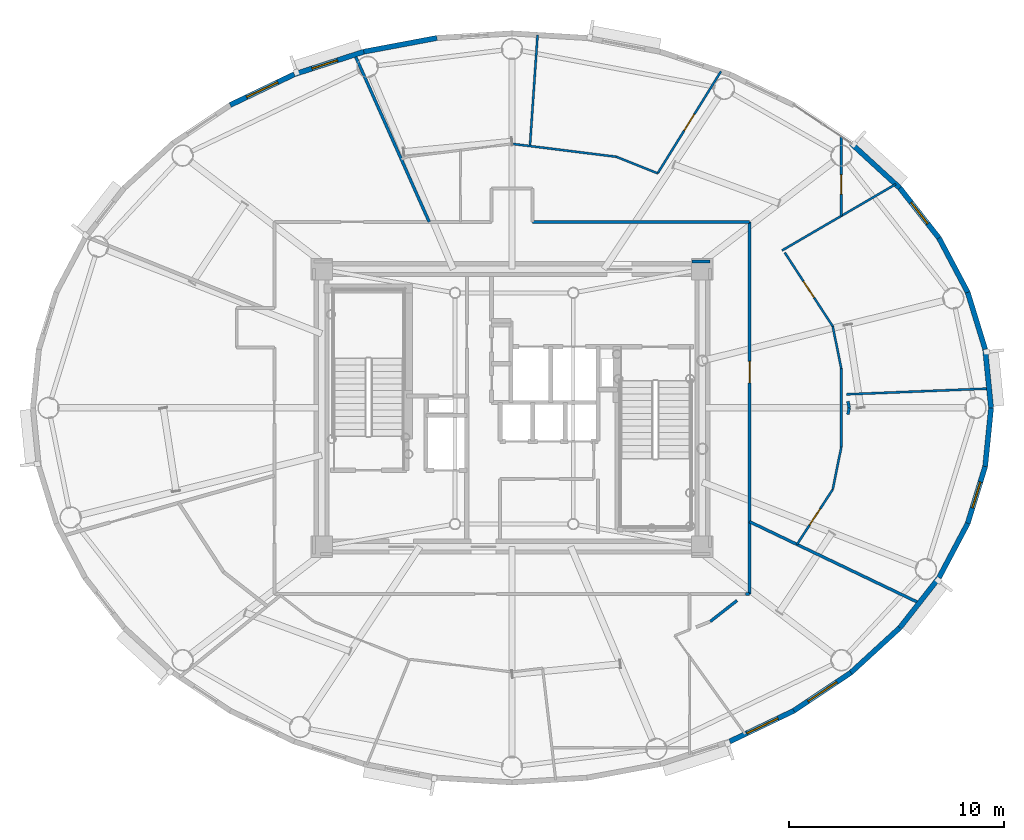
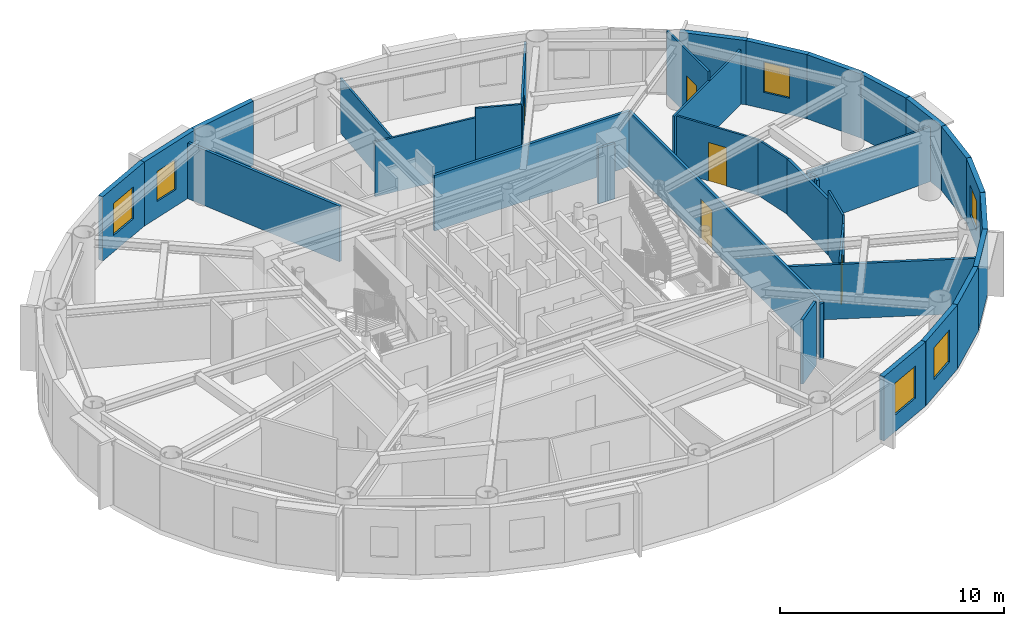
# One storey, part 9 of 16: 36 walls, 6 windows, 5 doors, 11 openings.
"""IFC4 building model written with IfcOpenShell, lengths in metres."""

from ifc_helpers import new_model, si_unit, direction, frame, frame_2d, origin, origin_2d, place, context, subcontext, project, spatial, rectangle, extrude, source, transform, mapped, material, layer, layer_set, type_object, element, fill, save


model = new_model("IFC4")

# Units and contexts
model_context = context("Model", 3, precision=1e-05, world=origin(), true_north=direction((0.0, 1.0)))
body_context = subcontext(model_context, "Body", "Model", "MODEL_VIEW")
ifc_project = project(units=[si_unit("LENGTHUNIT", "METRE"), si_unit("AREAUNIT", "SQUARE_METRE"), si_unit("VOLUMEUNIT", "CUBIC_METRE"), si_unit("PLANEANGLEUNIT", "RADIAN"), si_unit("MASSUNIT", "GRAM", prefix="KILO")], contexts=[model_context])

# Site, building, storey
site_placement = place(None, origin())
site = spatial("IfcSite", under=ifc_project, at=site_placement, CompositionType="ELEMENT")
building_placement = place(site_placement, origin())
building = spatial("IfcBuilding", under=site, at=building_placement, Name="Linh Dai School and Residence Tower", CompositionType="ELEMENT")
storey_placement = place(building_placement, frame((0.0, 0.0, 306.75)))
storey = spatial("IfcBuildingStorey", under=building, at=storey_placement, Name="L76", CompositionType="ELEMENT", Elevation=306.75)

# Walls
ifc_material_1 = material(Name="Precast Concrete B45 (C35/45)", Category="concrete")
ifc_layer_1 = layer(ifc_material_1, 0.239990234375)
ifc_layer_set_1 = layer_set([ifc_layer_1], Name="Precast Concrete B45 (C35/45)")
wall_type_1 = type_object("IfcWallType", Name="EW-TC-240", PredefinedType="SOLIDWALL", material=ifc_layer_set_1)
wall_1_placement = place(storey_placement, frame((58.001708984375, 29.718994140625, 0.0), z_axis=(0.0, 0.0, 1.0), x_axis=(0.099972526841, -0.99499019788, 0.0)))
element("IfcWall", 1, at=wall_1_placement, inside=storey, type_object=wall_type_1, Name="L76 Terracotta Exterior Wall 01", PredefinedType="SOLIDWALL", context=body_context, shape_type="SweptSolid", body=[
    extrude(rectangle(XDim=2.732666015625, YDim=0.239990234375, at=frame_2d((1.3662109375, 0.0))), origin(), (0.0, 0.0, 1.0), 3.5),
])
wall_2_placement = place(storey_placement, frame((57.188232421875, 32.372314453125, 0.0), z_axis=(0.0, 0.0, 1.0), x_axis=(0.2931213403, -0.956075248012, 0.0)))
element("IfcWall", 2, at=wall_2_placement, inside=storey, type_object=wall_type_1, Name="L76 Terracotta Exterior Wall 02", PredefinedType="SOLIDWALL", context=body_context, shape_type="SweptSolid", body=[
    extrude(rectangle(XDim=2.775146484375, YDim=0.239990234375, at=frame_2d((1.3876953125, 0.0))), origin(), (0.0, 0.0, 1.0), 3.5),
])
wall_3_placement = place(storey_placement, frame((55.853759765625, 34.894775390625, 0.0), z_axis=(0.0, 0.0, 1.0), x_axis=(0.467628269026, -0.883925224218, 0.0)))
element("IfcWall", 3, at=wall_3_placement, inside=storey, type_object=wall_type_1, Name="L76 Terracotta Exterior Wall 03", PredefinedType="SOLIDWALL", context=body_context, shape_type="SweptSolid", body=[
    extrude(rectangle(XDim=2.853759765625, YDim=0.239990234375, at=frame_2d((1.4267578125, 0.0))), origin(), (0.0, 0.0, 1.0), 3.5),
])

# Wall, opening, window
wall_4_placement = place(storey_placement, frame((54.0302734375, 37.224609375, 0.0), z_axis=(0.0, 0.0, 1.0), x_axis=(0.616337186556, -0.787482363275, 0.0)))
wall_4 = element("IfcWall", 4, at=wall_4_placement, inside=storey, type_object=wall_type_1, Name="L76 Terracotta Exterior Wall 04", PredefinedType="SOLIDWALL", context=body_context, shape_type="SweptSolid", body=[
    extrude(rectangle(XDim=2.95849609375, YDim=0.239990234375, at=frame_2d((1.479248046875, 0.0))), origin(), (0.0, 0.0, 1.0), 3.5),
])
opening_1_placement = place(wall_4_placement, frame((0.85400390625, 0.0, 0.89990234375)))
opening_1 = element("IfcOpeningElement", 5, at=opening_1_placement, cuts=wall_4, Name="Opening W3", PredefinedType="OPENING", context=body_context, shape_type="SweptSolid", body=[
    extrude(rectangle(XDim=1.25, YDim=1.64990234375, at=origin_2d()), frame((0.625, 0.1298828125, 0.824951171875), z_axis=(0.0, -1.0, 0.0), x_axis=(1.0, 0.0, 0.0)), (0.0, 0.0, 1.0), 0.260009765625),
])
ifc_material_2 = material(Name="Double Low-E Insulated Glazing", Category="glass")
window_type_1 = type_object("IfcWindowType", Name="WN-RES-1250x1650", PartitioningType="SINGLE_PANEL", PredefinedType="WINDOW", material=ifc_material_2)
shared_shape_1 = source(origin(), body_context, "Body", "SweptSolid", [
    extrude(rectangle(XDim=1.25, YDim=1.64990234375, at=origin_2d()), frame((0.625, 0.030029296875, 0.824951171875), z_axis=(0.0, -1.0, 0.0), x_axis=(1.0, 0.0, 0.0)), (0.0, 0.0, 1.0), 0.06005859375),
])
window_1_placement = place(opening_1_placement, origin())
window_1 = element("IfcWindow", 6, at=window_1_placement, inside=storey, type_object=window_type_1, Name="L76 Exterior Window 04.1", OverallHeight=1.64990234375, OverallWidth=1.25, PartitioningType="SINGLE_PANEL", PredefinedType="WINDOW", context=body_context, shape_type="MappedRepresentation", body=[
    mapped(shared_shape_1, transform((0.0, 0.0, 0.0), x_axis=(1.0, 0.0, 0.0), y_axis=(0.0, 1.0, 0.0), z_axis=(0.0, 0.0, 1.0), scale=1.0)),
])
fill(opening_1, window_1)

# Walls
wall_5_placement = place(storey_placement, frame((51.76220703125, 39.30419921875, 0.0), z_axis=(0.0, 0.0, 1.0), x_axis=(0.737068506972, -0.675818034703, 0.0)))
element("IfcWall", 7, at=wall_5_placement, inside=storey, type_object=wall_type_1, Name="L76 Terracotta Exterior Wall 05", PredefinedType="SOLIDWALL", context=body_context, shape_type="SweptSolid", body=[
    extrude(rectangle(XDim=3.0771484375, YDim=0.239990234375, at=frame_2d((1.53857421875, 0.0))), origin(), (0.0, 0.0, 1.0), 3.5),
])
wall_6_placement = place(storey_placement, frame((29.10888671875, 43.560302734375, 0.0), z_axis=(0.0, 0.0, 1.0), x_axis=(0.982782655757, 0.184765395959, 0.0)))
element("IfcWall", 8, at=wall_6_placement, inside=storey, type_object=wall_type_1, Name="L76 Terracotta Exterior Wall 12", PredefinedType="SOLIDWALL", context=body_context, shape_type="SweptSolid", body=[
    extrude(rectangle(XDim=3.4619140625, YDim=0.239990234375, at=frame_2d((1.73095703125, 0.0))), origin(), (0.0, 0.0, 1.0), 3.5),
])

# Wall, opening, window
wall_7_placement = place(storey_placement, frame((25.876953125, 42.51220703125, 0.0), z_axis=(0.0, 0.0, 1.0), x_axis=(0.95123136723, 0.308478339592, 0.0)))
wall_7 = element("IfcWall", 9, at=wall_7_placement, inside=storey, type_object=wall_type_1, Name="L76 Terracotta Exterior Wall 13", PredefinedType="SOLIDWALL", context=body_context, shape_type="SweptSolid", body=[
    extrude(rectangle(XDim=3.397705078125, YDim=0.239990234375, at=frame_2d((1.69873046875, 0.0))), origin(), (0.0, 0.0, 1.0), 3.5),
])
opening_2_placement = place(wall_7_placement, frame((0.86328125, 0.0, 0.89990234375)))
opening_2 = element("IfcOpeningElement", 10, at=opening_2_placement, cuts=wall_7, Name="Opening W3", PredefinedType="OPENING", context=body_context, shape_type="SweptSolid", body=[
    extrude(rectangle(XDim=1.25, YDim=1.64990234375, at=origin_2d()), frame((0.625, 0.1298828125, 0.824951171875), z_axis=(0.0, -1.0, 0.0), x_axis=(1.0, 0.0, 0.0)), (0.0, 0.0, 1.0), 0.260009765625),
])
window_2_placement = place(opening_2_placement, origin())
window_2 = element("IfcWindow", 11, at=window_2_placement, inside=storey, type_object=window_type_1, Name="L76 Exterior Window 13.1", OverallHeight=1.64990234375, OverallWidth=1.25, PartitioningType="SINGLE_PANEL", PredefinedType="WINDOW", context=body_context, shape_type="MappedRepresentation", body=[
    mapped(shared_shape_1, transform((0.0, 0.0, 0.0), x_axis=(1.0, 0.0, 0.0), y_axis=(0.0, 1.0, 0.0), z_axis=(0.0, 0.0, 1.0), scale=1.0)),
])
fill(opening_2, window_2)

wall_8_placement = place(storey_placement, frame((22.8955078125, 41.08154296875, 0.0), z_axis=(0.0, 0.0, 1.0), x_axis=(0.901573741254, 0.43262546051, 0.0)))
wall_8 = element("IfcWall", 12, at=wall_8_placement, inside=storey, type_object=wall_type_1, Name="L76 Terracotta Exterior Wall 14", PredefinedType="SOLIDWALL", context=body_context, shape_type="SweptSolid", body=[
    extrude(rectangle(XDim=3.306884765625, YDim=0.239990234375, at=frame_2d((1.6533203125, 0.0))), origin(), (0.0, 0.0, 1.0), 3.5),
])
opening_3_placement = place(wall_8_placement, frame((0.853515625, 0.0, 0.89990234375)))
opening_3 = element("IfcOpeningElement", 13, at=opening_3_placement, cuts=wall_8, Name="Opening W2", PredefinedType="OPENING", context=body_context, shape_type="SweptSolid", body=[
    extrude(rectangle(XDim=1.60009765625, YDim=1.75, at=origin_2d()), frame((0.800048828125, 0.1298828125, 0.875), z_axis=(0.0, -1.0, 0.0), x_axis=(1.0, 0.0, 0.0)), (0.0, 0.0, 1.0), 0.260009765625),
])
window_type_2 = type_object("IfcWindowType", Name="WN-RES-1600x1750", PartitioningType="DOUBLE_PANEL_VERTICAL", PredefinedType="WINDOW", material=ifc_material_2)
shared_shape_2 = source(origin(), body_context, "Body", "SweptSolid", [
    extrude(rectangle(XDim=1.60009765625, YDim=1.75, at=origin_2d()), frame((0.800048828125, 0.030029296875, 0.875), z_axis=(0.0, -1.0, 0.0), x_axis=(1.0, 0.0, 0.0)), (0.0, 0.0, 1.0), 0.06005859375),
])
window_3_placement = place(opening_3_placement, origin())
window_3 = element("IfcWindow", 14, at=window_3_placement, inside=storey, type_object=window_type_2, Name="L76 Exterior Window 14.1", OverallHeight=1.75, OverallWidth=1.60009765625, PartitioningType="DOUBLE_PANEL_VERTICAL", PredefinedType="WINDOW", context=body_context, shape_type="MappedRepresentation", body=[
    mapped(shared_shape_2, transform((0.0, 0.0, 0.0), x_axis=(1.0, 0.0, 0.0), y_axis=(0.0, 1.0, 0.0), z_axis=(0.0, 0.0, 1.0), scale=1.0)),
])
fill(opening_3, window_3)

wall_9_placement = place(storey_placement, frame((49.1044921875, 12.91845703125, 0.0), z_axis=(0.0, 0.0, 1.0), x_axis=(-0.901573741254, -0.43262546051, 0.0)))
wall_9 = element("IfcWall", 15, at=wall_9_placement, inside=storey, type_object=wall_type_1, Name="L76 Terracotta Exterior Wall 34", PredefinedType="SOLIDWALL", context=body_context, shape_type="SweptSolid", body=[
    extrude(rectangle(XDim=3.306884765625, YDim=0.239990234375, at=frame_2d((1.6533203125, 0.0))), origin(), (0.0, 0.0, 1.0), 3.5),
])
opening_4_placement = place(wall_9_placement, frame((0.81396484375, 0.0, 0.89990234375)))
opening_4 = element("IfcOpeningElement", 16, at=opening_4_placement, cuts=wall_9, Name="Opening W2", PredefinedType="OPENING", context=body_context, shape_type="SweptSolid", body=[
    extrude(rectangle(XDim=1.60009765625, YDim=1.75, at=origin_2d()), frame((0.800048828125, 0.1298828125, 0.875), z_axis=(0.0, -1.0, 0.0), x_axis=(1.0, 0.0, 0.0)), (0.0, 0.0, 1.0), 0.260009765625),
])
window_4_placement = place(opening_4_placement, origin())
window_4 = element("IfcWindow", 17, at=window_4_placement, inside=storey, type_object=window_type_2, Name="L76 Exterior Window 34.1", OverallHeight=1.75, OverallWidth=1.60009765625, PartitioningType="DOUBLE_PANEL_VERTICAL", PredefinedType="WINDOW", context=body_context, shape_type="MappedRepresentation", body=[
    mapped(shared_shape_2, transform((0.0, 0.0, 0.0), x_axis=(1.0, 0.0, 0.0), y_axis=(0.0, 1.0, 0.0), z_axis=(0.0, 0.0, 1.0), scale=1.0)),
])
fill(opening_4, window_4)

wall_10_placement = place(storey_placement, frame((51.76220703125, 14.69580078125, 0.0), z_axis=(0.0, 0.0, 1.0), x_axis=(-0.831250592635, -0.55589787933, 0.0)))
wall_10 = element("IfcWall", 18, at=wall_10_placement, inside=storey, type_object=wall_type_1, Name="L76 Terracotta Exterior Wall 35", PredefinedType="SOLIDWALL", context=body_context, shape_type="SweptSolid", body=[
    extrude(rectangle(XDim=3.197265625, YDim=0.239990234375, at=frame_2d((1.5986328125, 0.0))), origin(), (0.0, 0.0, 1.0), 3.5),
])
opening_5_placement = place(wall_10_placement, frame((0.798583984375, 0.0, 0.89990234375)))
opening_5 = element("IfcOpeningElement", 19, at=opening_5_placement, cuts=wall_10, Name="Opening W2", PredefinedType="OPENING", context=body_context, shape_type="SweptSolid", body=[
    extrude(rectangle(XDim=1.60009765625, YDim=1.75, at=origin_2d()), frame((0.800048828125, 0.1298828125, 0.875), z_axis=(0.0, -1.0, 0.0), x_axis=(1.0, 0.0, 0.0)), (0.0, 0.0, 1.0), 0.260009765625),
])
window_5_placement = place(opening_5_placement, origin())
window_5 = element("IfcWindow", 20, at=window_5_placement, inside=storey, type_object=window_type_2, Name="L76 Exterior Window 35.1", OverallHeight=1.75, OverallWidth=1.60009765625, PartitioningType="DOUBLE_PANEL_VERTICAL", PredefinedType="WINDOW", context=body_context, shape_type="MappedRepresentation", body=[
    mapped(shared_shape_2, transform((0.0, 0.0, 0.0), x_axis=(1.0, 0.0, 0.0), y_axis=(0.0, 1.0, 0.0), z_axis=(0.0, 0.0, 1.0), scale=1.0)),
])
fill(opening_5, window_5)

# Walls
wall_11_placement = place(storey_placement, frame((54.0302734375, 16.775390625, 0.0), z_axis=(0.0, 0.0, 1.0), x_axis=(-0.737068506972, -0.675818034703, 0.0)))
element("IfcWall", 21, at=wall_11_placement, inside=storey, type_object=wall_type_1, Name="L76 Terracotta Exterior Wall 36", PredefinedType="SOLIDWALL", context=body_context, shape_type="SweptSolid", body=[
    extrude(rectangle(XDim=3.0771484375, YDim=0.239990234375, at=frame_2d((1.53857421875, 0.0))), origin(), (0.0, 0.0, 1.0), 3.5),
])
wall_12_placement = place(storey_placement, frame((55.853759765625, 19.105224609375, 0.0), z_axis=(0.0, 0.0, 1.0), x_axis=(-0.616337186556, -0.787482363275, 0.0)))
element("IfcWall", 22, at=wall_12_placement, inside=storey, type_object=wall_type_1, Name="L76 Terracotta Exterior Wall 37", PredefinedType="SOLIDWALL", context=body_context, shape_type="SweptSolid", body=[
    extrude(rectangle(XDim=2.95849609375, YDim=0.239990234375, at=frame_2d((1.479248046875, 0.0))), origin(), (0.0, 0.0, 1.0), 3.5),
])
wall_13_placement = place(storey_placement, frame((57.188232421875, 21.627685546875, 0.0), z_axis=(0.0, 0.0, 1.0), x_axis=(-0.467628269026, -0.883925224218, 0.0)))
element("IfcWall", 23, at=wall_13_placement, inside=storey, type_object=wall_type_1, Name="L76 Terracotta Exterior Wall 38", PredefinedType="SOLIDWALL", context=body_context, shape_type="SweptSolid", body=[
    extrude(rectangle(XDim=2.853759765625, YDim=0.239990234375, at=frame_2d((1.4267578125, 0.0))), origin(), (0.0, 0.0, 1.0), 3.5),
])

# Wall, opening, window
wall_14_placement = place(storey_placement, frame((58.001708984375, 24.281005859375, 0.0), z_axis=(0.0, 0.0, 1.0), x_axis=(-0.2931213403, -0.956075248012, 0.0)))
wall_14 = element("IfcWall", 24, at=wall_14_placement, inside=storey, type_object=wall_type_1, Name="L76 Terracotta Exterior Wall 39", PredefinedType="SOLIDWALL", context=body_context, shape_type="SweptSolid", body=[
    extrude(rectangle(XDim=2.775146484375, YDim=0.239990234375, at=frame_2d((1.3876953125, 0.0))), origin(), (0.0, 0.0, 1.0), 3.5),
])
opening_6_placement = place(wall_14_placement, frame((0.7626953125, 0.0, 0.89990234375)))
opening_6 = element("IfcOpeningElement", 25, at=opening_6_placement, cuts=wall_14, Name="Opening W3", PredefinedType="OPENING", context=body_context, shape_type="SweptSolid", body=[
    extrude(rectangle(XDim=1.25, YDim=1.64990234375, at=origin_2d()), frame((0.625, 0.1298828125, 0.824951171875), z_axis=(0.0, -1.0, 0.0), x_axis=(1.0, 0.0, 0.0)), (0.0, 0.0, 1.0), 0.260009765625),
])
window_6_placement = place(opening_6_placement, origin())
window_6 = element("IfcWindow", 26, at=window_6_placement, inside=storey, type_object=window_type_1, Name="L76 Exterior Window 39.1", OverallHeight=1.64990234375, OverallWidth=1.25, PartitioningType="SINGLE_PANEL", PredefinedType="WINDOW", context=body_context, shape_type="MappedRepresentation", body=[
    mapped(shared_shape_1, transform((0.0, 0.0, 0.0), x_axis=(1.0, 0.0, 0.0), y_axis=(0.0, 1.0, 0.0), z_axis=(0.0, 0.0, 1.0), scale=1.0)),
])
fill(opening_6, window_6)

# Walls
wall_15_placement = place(storey_placement, frame((58.27490234375, 27.0, 0.0), z_axis=(0.0, 0.0, 1.0), x_axis=(-0.099972526841, -0.99499019788, 0.0)))
element("IfcWall", 27, at=wall_15_placement, inside=storey, type_object=wall_type_1, Name="L76 Terracotta Exterior Wall 40", PredefinedType="SOLIDWALL", context=body_context, shape_type="SweptSolid", body=[
    extrude(rectangle(XDim=2.732666015625, YDim=0.239990234375, at=frame_2d((1.3662109375, 0.0))), origin(), (0.0, 0.0, 1.0), 3.5),
])
ifc_material_3 = material(Name="Autoclaved Aerated Concrete Blockwork", Category="masonry")
ifc_layer_2 = layer(ifc_material_3, 0.135009765625)
ifc_layer_set_2 = layer_set([ifc_layer_2], Name="Autoclaved Aerated Concrete Blockwork")
wall_type_2 = type_object("IfcWallType", Name="IW-CORR-135-EI90", PredefinedType="PARTITIONING", material=ifc_layer_set_2)
wall_16_placement = place(storey_placement, frame((28.685546875, 43.428466796875, 0.0), z_axis=(0.0, 0.0, 1.0), x_axis=(0.406736980157, -0.913545307564, 0.0)))
element("IfcWall", 28, at=wall_16_placement, inside=storey, type_object=wall_type_2, Name="L76 Interior Partition Wall 016", PredefinedType="PARTITIONING", context=body_context, shape_type="SweptSolid", body=[
    extrude(rectangle(XDim=8.514404296875, YDim=0.135009765625, at=frame_2d((4.25732421875, 0.0))), origin(), (0.0, 0.0, 1.0), 3.034912109375),
])
wall_17_placement = place(storey_placement, frame((36.949951171875, 35.64990234375, 0.0), z_axis=(0.0, 0.0, 1.0), x_axis=(1.0, 0.0, 0.0)))
element("IfcWall", 29, at=wall_17_placement, inside=storey, type_object=wall_type_2, Name="L76 Interior Partition Wall 047", PredefinedType="PARTITIONING", context=body_context, shape_type="SweptSolid", body=[
    extrude(rectangle(XDim=10.10009765625, YDim=0.135009765625, at=frame_2d((5.050048828125, 0.0))), origin(), (0.0, 0.0, 1.0), 3.034912109375),
])
wall_18_placement = place(storey_placement, frame((46.855224609375, 18.35009765625, 0.0), z_axis=(0.0, 0.0, 1.0), x_axis=(1.0, 0.0, 0.0)))
element("IfcWall", 30, at=wall_18_placement, inside=storey, type_object=wall_type_2, Name="L76 Interior Partition Wall 063", PredefinedType="PARTITIONING", context=body_context, shape_type="SweptSolid", body=[
    extrude(rectangle(XDim=0.19482421875, YDim=0.135009765625, at=frame_2d((0.097412109375, 0.0))), origin(), (0.0, 0.0, 1.0), 3.034912109375),
])

# Wall, opening, door
wall_19_placement = place(storey_placement, frame((47.050048828125, 18.35009765625, 0.0), z_axis=(0.0, 0.0, 1.0), x_axis=(0.0, 1.0, 0.0)))
wall_19 = element("IfcWall", 31, at=wall_19_placement, inside=storey, type_object=wall_type_2, Name="L76 Interior Partition Wall 064", PredefinedType="PARTITIONING", context=body_context, shape_type="SweptSolid", body=[
    extrude(rectangle(XDim=17.2998046875, YDim=0.135009765625, at=frame_2d((8.64990234375, 0.0))), origin(), (0.0, 0.0, 1.0), 3.034912109375),
])
opening_7_placement = place(wall_19_placement, frame((9.80810546875, 0.0, 0.0)))
opening_7 = element("IfcOpeningElement", 32, at=opening_7_placement, cuts=wall_19, Name="Opening D03", PredefinedType="OPENING", context=body_context, shape_type="SweptSolid", body=[
    extrude(rectangle(XDim=1.0, YDim=2.14990234375, at=origin_2d()), frame((0.5, 0.07763671875, 1.074951171875), z_axis=(0.0, -1.0, 0.0), x_axis=(1.0, 0.0, 0.0)), (0.0, 0.0, 1.0), 0.155029296875),
])
ifc_material_4 = material(Name="Fire-Rated Solid Timber Entrance Door", Category="wood")
door_type_1 = type_object("IfcDoorType", Name="DR-FLAT-1000x2150-FD60S", OperationType="NOTDEFINED", PredefinedType="DOOR", material=ifc_material_4)
shared_shape_3 = source(origin(), body_context, "Body", "SweptSolid", [
    extrude(rectangle(XDim=1.0, YDim=2.14990234375, at=origin_2d()), frame((0.5, 0.02490234375, 1.074951171875), z_axis=(0.0, -1.0, 0.0), x_axis=(1.0, 0.0, 0.0)), (0.0, 0.0, 1.0), 0.050048828125),
])
door_1_placement = place(opening_7_placement, origin())
door_1 = element("IfcDoor", 33, at=door_1_placement, inside=storey, type_object=door_type_1, Name="L76 U7602 Apartment Entrance Door", OperationType="SINGLE_SWING_RIGHT", OverallHeight=2.14990234375, OverallWidth=1.0, PredefinedType="DOOR", context=body_context, shape_type="MappedRepresentation", body=[
    mapped(shared_shape_3, transform((0.0, 0.0, 0.0), x_axis=(1.0, 0.0, 0.0), y_axis=(0.0, 1.0, 0.0), z_axis=(0.0, 0.0, 1.0), scale=1.0)),
])
fill(opening_7, door_1)

# Walls
wall_20_placement = place(storey_placement, frame((47.050048828125, 21.7060546875, 0.0), z_axis=(0.0, 0.0, 1.0), x_axis=(0.901842087785, -0.432065792096, 0.0)))
element("IfcWall", 34, at=wall_20_placement, inside=storey, type_object=wall_type_2, Name="L76 Interior Partition Wall 065", PredefinedType="PARTITIONING", context=body_context, shape_type="SweptSolid", body=[
    extrude(rectangle(XDim=8.74658203125, YDim=0.135009765625, at=frame_2d((4.373291015625, 0.0))), origin(), (0.0, 0.0, 1.0), 2.985107421875),
])
wall_21_placement = place(storey_placement, frame((45.199951171875, 33.800048828125, 0.0), z_axis=(0.0, 0.0, 1.0), x_axis=(-1.0, 0.0, 0.0)))
element("IfcWall", 35, at=wall_21_placement, inside=storey, type_object=wall_type_2, Name="L76 Interior Partition Wall 076", PredefinedType="PARTITIONING", context=body_context, shape_type="SweptSolid", body=[
    extrude(rectangle(XDim=0.83984375, YDim=0.135009765625, at=frame_2d((0.419921875, 0.0))), origin(), (0.0, 0.0, 1.0), 3.034912109375),
])
wall_22_placement = place(storey_placement, frame((45.216552734375, 17.06689453125, 0.0), z_axis=(0.0, 0.0, 1.0), x_axis=(0.787329157173, 0.616532884982, 0.0)))
element("IfcWall", 36, at=wall_22_placement, inside=storey, type_object=wall_type_2, Name="L76 Interior Partition Wall 086", PredefinedType="PARTITIONING", context=body_context, shape_type="SweptSolid", body=[
    extrude(rectangle(XDim=1.582275390625, YDim=0.135009765625, at=frame_2d((0.791015625, 0.0))), origin(), (0.0, 0.0, 1.0), 3.5),
])
wall_23_placement = place(storey_placement, frame((51.311279296875, 28.822509765625, 0.0), z_axis=(0.0, 0.0, 1.0), x_axis=(0.0, -1.0, 0.0)))
element("IfcWall", 37, at=wall_23_placement, inside=storey, type_object=wall_type_2, Name="L76 Interior Partition Wall 087", PredefinedType="PARTITIONING", context=body_context, shape_type="SweptSolid", body=[
    extrude(rectangle(XDim=3.64501953125, YDim=0.135009765625, at=frame_2d((1.822509765625, 0.0))), origin(), (0.0, 0.0, 1.0), 3.034912109375),
])
for number, where, z_axis, x_axis, name in (
    (38, (51.618896484375, 26.69775390625, 0.0), (0.0, 0.0, 1.0), (0.197942960462, 0.980213540206, 0.0), "L76 Interior Partition Wall 088"),
    (39, (51.679931640625, 27.0, 0.0), (0.0, 0.0, 1.0), (-0.197942960462, 0.980213540206, 0.0), "L76 Interior Partition Wall 089"),
):
    element("IfcWall", number, at=place(storey_placement, frame(where, z_axis=z_axis, x_axis=x_axis)), inside=storey, type_object=wall_type_2, Name=name, PredefinedType="PARTITIONING", context=body_context, shape_type="SweptSolid", body=[
        extrude(rectangle(XDim=0.308349609375, YDim=0.135009765625, at=frame_2d((0.154296875, 0.0))), origin(), (0.0, 0.0, 1.0), 3.034912109375),
    ])
ifc_material_5 = material(Name="Gypsum Plasterboard Acoustic Stud Partition", Category="masonry")
ifc_layer_3 = layer(ifc_material_5, 0.10009765625)
ifc_layer_set_3 = layer_set([ifc_layer_3], Name="Gypsum Plasterboard Acoustic Stud Partition")
wall_type_3 = type_object("IfcWallType", Name="IW-UNIT-100", PredefinedType="PARTITIONING", material=ifc_layer_set_3)
wall_24_placement = place(storey_placement, frame((36.0, 39.278076171875, 0.0), z_axis=(0.0, 0.0, 1.0), x_axis=(0.992394358254, -0.123099300182, 0.0)))
element("IfcWall", 40, at=wall_24_placement, inside=storey, type_object=wall_type_3, Name="L76 Interior Partition Wall 044", PredefinedType="PARTITIONING", context=body_context, shape_type="SweptSolid", body=[
    extrude(rectangle(XDim=4.8828125, YDim=0.10009765625, at=frame_2d((2.44140625, 0.0))), origin(), (0.0, 0.0, 1.0), 2.985107421875),
])
wall_25_placement = place(storey_placement, frame((36.834228515625, 39.174560546875, 0.0), z_axis=(0.0, 0.0, 1.0), x_axis=(0.068331768218, 0.997662653131, 0.0)))
element("IfcWall", 41, at=wall_25_placement, inside=storey, type_object=wall_type_3, Name="L76 Interior Partition Wall 045", PredefinedType="PARTITIONING", context=body_context, shape_type="SweptSolid", body=[
    extrude(rectangle(XDim=5.184326171875, YDim=0.10009765625, at=frame_2d((2.59228515625, 0.0))), origin(), (0.0, 0.0, 1.0), 2.985107421875),
])
wall_26_placement = place(storey_placement, frame((40.845458984375, 38.677001953125, 0.0), z_axis=(0.0, 0.0, 1.0), x_axis=(0.928792693453, -0.370599693184, 0.0)))
element("IfcWall", 42, at=wall_26_placement, inside=storey, type_object=wall_type_3, Name="L76 Interior Partition Wall 056", PredefinedType="PARTITIONING", context=body_context, shape_type="SweptSolid", body=[
    extrude(rectangle(XDim=2.07568359375, YDim=0.10009765625, at=frame_2d((1.037841796875, 0.0))), origin(), (0.0, 0.0, 1.0), 3.5),
])

# Wall, opening, door
wall_27_placement = place(storey_placement, frame((42.7734375, 37.90771484375, 0.0), z_axis=(0.0, 0.0, 1.0), x_axis=(0.527527282505, 0.849538089913, 0.0)))
wall_27 = element("IfcWall", 43, at=wall_27_placement, inside=storey, type_object=wall_type_3, Name="L76 Interior Partition Wall 059", PredefinedType="PARTITIONING", context=body_context, shape_type="SweptSolid", body=[
    extrude(rectangle(XDim=5.580810546875, YDim=0.10009765625, at=frame_2d((2.79052734375, 0.0))), origin(), (0.0, 0.0, 1.0), 2.985107421875),
])
opening_8_placement = place(wall_27_placement, frame((2.34033203125, 0.0, 0.0)))
opening_8 = element("IfcOpeningElement", 44, at=opening_8_placement, cuts=wall_27, Name="Opening D05", PredefinedType="OPENING", context=body_context, shape_type="SweptSolid", body=[
    extrude(rectangle(XDim=0.89990234375, YDim=2.10009765625, at=origin_2d()), frame((0.449951171875, 0.06005859375, 1.050048828125), z_axis=(0.0, -1.0, 0.0), x_axis=(1.0, 0.0, 0.0)), (0.0, 0.0, 1.0), 0.1201171875),
])
ifc_material_6 = material(Name="Engineered Timber Internal Door", Category="wood")
door_type_2 = type_object("IfcDoorType", Name="DR-INT-900x2100", OperationType="NOTDEFINED", PredefinedType="DOOR", material=ifc_material_6)
shared_shape_4 = source(origin(), body_context, "Body", "SweptSolid", [
    extrude(rectangle(XDim=0.89990234375, YDim=2.10009765625, at=origin_2d()), frame((0.449951171875, 0.02490234375, 1.050048828125), z_axis=(0.0, -1.0, 0.0), x_axis=(1.0, 0.0, 0.0)), (0.0, 0.0, 1.0), 0.050048828125),
])
door_2_placement = place(opening_8_placement, origin())
door_2 = element("IfcDoor", 45, at=door_2_placement, inside=storey, type_object=door_type_2, Name="L76 Apartment U7602 Principal Bedroom 3 Door", OperationType="SINGLE_SWING_LEFT", OverallHeight=2.10009765625, OverallWidth=0.89990234375, PredefinedType="DOOR", context=body_context, shape_type="MappedRepresentation", body=[
    mapped(shared_shape_4, transform((0.0, 0.0, 0.0), x_axis=(1.0, 0.0, 0.0), y_axis=(0.0, 1.0, 0.0), z_axis=(0.0, 0.0, 1.0), scale=1.0)),
])
fill(opening_8, door_2)

# Wall
wall_28_placement = place(storey_placement, frame((48.554931640625, 34.319091796875, 0.0), z_axis=(0.0, 0.0, 1.0), x_axis=(0.863923501635, 0.503623056783, 0.0)))
element("IfcWall", 46, at=wall_28_placement, inside=storey, type_object=wall_type_3, Name="L76 Interior Partition Wall 066", PredefinedType="PARTITIONING", context=body_context, shape_type="SweptSolid", body=[
    extrude(rectangle(XDim=6.1220703125, YDim=0.10009765625, at=frame_2d((3.06103515625, 0.0))), origin(), (0.0, 0.0, 1.0), 2.985107421875),
])

# Wall, opening, door
wall_29_placement = place(storey_placement, frame((48.685302734375, 34.216796875, 0.0), z_axis=(0.0, 0.0, 1.0), x_axis=(0.545435886628, -0.838152547916, 0.0)))
wall_29 = element("IfcWall", 47, at=wall_29_placement, inside=storey, type_object=wall_type_3, Name="L76 Interior Partition Wall 067", PredefinedType="PARTITIONING", context=body_context, shape_type="SweptSolid", body=[
    extrude(rectangle(XDim=4.08349609375, YDim=0.10009765625, at=frame_2d((2.041748046875, 0.0))), origin(), (0.0, 0.0, 1.0), 3.034912109375),
])
opening_9_placement = place(wall_29_placement, frame((1.591796875, 0.0, 0.0)))
opening_9 = element("IfcOpeningElement", 48, at=opening_9_placement, cuts=wall_29, Name="Opening D05", PredefinedType="OPENING", context=body_context, shape_type="SweptSolid", body=[
    extrude(rectangle(XDim=0.89990234375, YDim=2.10009765625, at=origin_2d()), frame((0.449951171875, 0.06005859375, 1.050048828125), z_axis=(0.0, -1.0, 0.0), x_axis=(1.0, 0.0, 0.0)), (0.0, 0.0, 1.0), 0.1201171875),
])
door_3_placement = place(opening_9_placement, origin())
door_3 = element("IfcDoor", 49, at=door_3_placement, inside=storey, type_object=door_type_2, Name="L76 Apartment U7602 Principal Bedroom 2 Door", OperationType="SINGLE_SWING_RIGHT", OverallHeight=2.10009765625, OverallWidth=0.89990234375, PredefinedType="DOOR", context=body_context, shape_type="MappedRepresentation", body=[
    mapped(shared_shape_4, transform((0.0, 0.0, 0.0), x_axis=(1.0, 0.0, 0.0), y_axis=(0.0, 1.0, 0.0), z_axis=(0.0, 0.0, 1.0), scale=1.0)),
])
fill(opening_9, door_3)

wall_30_placement = place(storey_placement, frame((49.25048828125, 20.65185546875, 0.0), z_axis=(0.0, 0.0, 1.0), x_axis=(0.54545856642, 0.838137788385, 0.0)))
wall_30 = element("IfcWall", 50, at=wall_30_placement, inside=storey, type_object=wall_type_3, Name="L76 Interior Partition Wall 068", PredefinedType="PARTITIONING", context=body_context, shape_type="SweptSolid", body=[
    extrude(rectangle(XDim=3.047119140625, YDim=0.10009765625, at=frame_2d((1.5234375, 0.0))), origin(), (0.0, 0.0, 1.0), 3.034912109375),
])
opening_10_placement = place(wall_30_placement, frame((1.073486328125, 0.0, 0.0)))
opening_10 = element("IfcOpeningElement", 51, at=opening_10_placement, cuts=wall_30, Name="Opening D05", PredefinedType="OPENING", context=body_context, shape_type="SweptSolid", body=[
    extrude(rectangle(XDim=0.89990234375, YDim=2.10009765625, at=origin_2d()), frame((0.449951171875, 0.06005859375, 1.050048828125), z_axis=(0.0, -1.0, 0.0), x_axis=(1.0, 0.0, 0.0)), (0.0, 0.0, 1.0), 0.1201171875),
])
door_4_placement = place(opening_10_placement, origin())
door_4 = element("IfcDoor", 52, at=door_4_placement, inside=storey, type_object=door_type_2, Name="L76 Apartment U7602 Principal Bedroom 1 Door", OperationType="SINGLE_SWING_LEFT", OverallHeight=2.10009765625, OverallWidth=0.89990234375, PredefinedType="DOOR", context=body_context, shape_type="MappedRepresentation", body=[
    mapped(shared_shape_4, transform((0.0, 0.0, 0.0), x_axis=(1.0, 0.0, 0.0), y_axis=(0.0, 1.0, 0.0), z_axis=(0.0, 0.0, 1.0), scale=1.0)),
])
fill(opening_10, door_4)

# Walls
wall_31_placement = place(storey_placement, frame((50.91259765625, 23.205810546875, 0.0), z_axis=(0.0, 0.0, 1.0), x_axis=(0.198192944621, 0.980163025574, 0.0)))
element("IfcWall", 53, at=wall_31_placement, inside=storey, type_object=wall_type_3, Name="L76 Interior Partition Wall 069", PredefinedType="PARTITIONING", context=body_context, shape_type="SweptSolid", body=[
    extrude(rectangle(XDim=2.011474609375, YDim=0.10009765625, at=frame_2d((1.005859375, 0.0))), origin(), (0.0, 0.0, 1.0), 3.5),
])
wall_32_placement = place(storey_placement, frame((50.91259765625, 30.794189453125, 0.0), z_axis=(0.0, 0.0, 1.0), x_axis=(0.198192944621, -0.980163025574, 0.0)))
element("IfcWall", 54, at=wall_32_placement, inside=storey, type_object=wall_type_3, Name="L76 Interior Partition Wall 070", PredefinedType="PARTITIONING", context=body_context, shape_type="SweptSolid", body=[
    extrude(rectangle(XDim=2.011474609375, YDim=0.10009765625, at=frame_2d((1.005859375, 0.0))), origin(), (0.0, 0.0, 1.0), 3.034912109375),
])

# Wall, opening, door
wall_33_placement = place(storey_placement, frame((51.311279296875, 35.926025390625, 0.0), z_axis=(0.0, 0.0, 1.0), x_axis=(0.0, 1.0, 0.0)))
wall_33 = element("IfcWall", 55, at=wall_33_placement, inside=storey, type_object=wall_type_3, Name="L76 Interior Partition Wall 071", PredefinedType="PARTITIONING", context=body_context, shape_type="SweptSolid", body=[
    extrude(rectangle(XDim=3.685546875, YDim=0.10009765625, at=frame_2d((1.8427734375, 0.0))), origin(), (0.0, 0.0, 1.0), 3.5),
])
opening_11_placement = place(wall_33_placement, frame((1.010986328125, 0.0, 0.0)))
opening_11 = element("IfcOpeningElement", 56, at=opening_11_placement, cuts=wall_33, Name="Opening D05", PredefinedType="OPENING", context=body_context, shape_type="SweptSolid", body=[
    extrude(rectangle(XDim=0.89990234375, YDim=2.10009765625, at=origin_2d()), frame((0.449951171875, 0.06005859375, 1.050048828125), z_axis=(0.0, -1.0, 0.0), x_axis=(1.0, 0.0, 0.0)), (0.0, 0.0, 1.0), 0.1201171875),
])
door_5_placement = place(opening_11_placement, origin())
door_5 = element("IfcDoor", 57, at=door_5_placement, inside=storey, type_object=door_type_2, Name="L76 Apartment U7602 Kitchen Door", OperationType="SINGLE_SWING_RIGHT", OverallHeight=2.10009765625, OverallWidth=0.89990234375, PredefinedType="DOOR", context=body_context, shape_type="MappedRepresentation", body=[
    mapped(shared_shape_4, transform((0.0, 0.0, 0.0), x_axis=(1.0, 0.0, 0.0), y_axis=(0.0, 1.0, 0.0), z_axis=(0.0, 0.0, 1.0), scale=1.0)),
])
fill(opening_11, door_5)

# Wall
wall_34_placement = place(storey_placement, frame((51.552490234375, 27.63037109375, 0.0), z_axis=(0.0, 0.0, 1.0), x_axis=(0.999179444864, 0.040502308109, 0.0)))
element("IfcWall", 58, at=wall_34_placement, inside=storey, type_object=wall_type_3, Name="L76 Interior Partition Wall 072", PredefinedType="PARTITIONING", context=body_context, shape_type="SweptSolid", body=[
    extrude(rectangle(XDim=6.642578125, YDim=0.10009765625, at=frame_2d((3.3212890625, 0.0))), origin(), (0.0, 0.0, 1.0), 2.985107421875),
])

save(model, "model.ifc")
